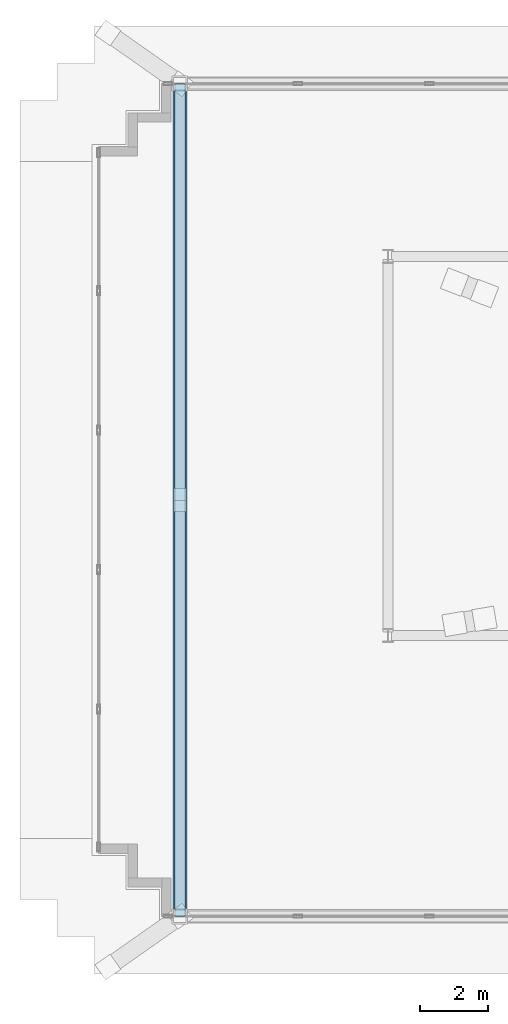
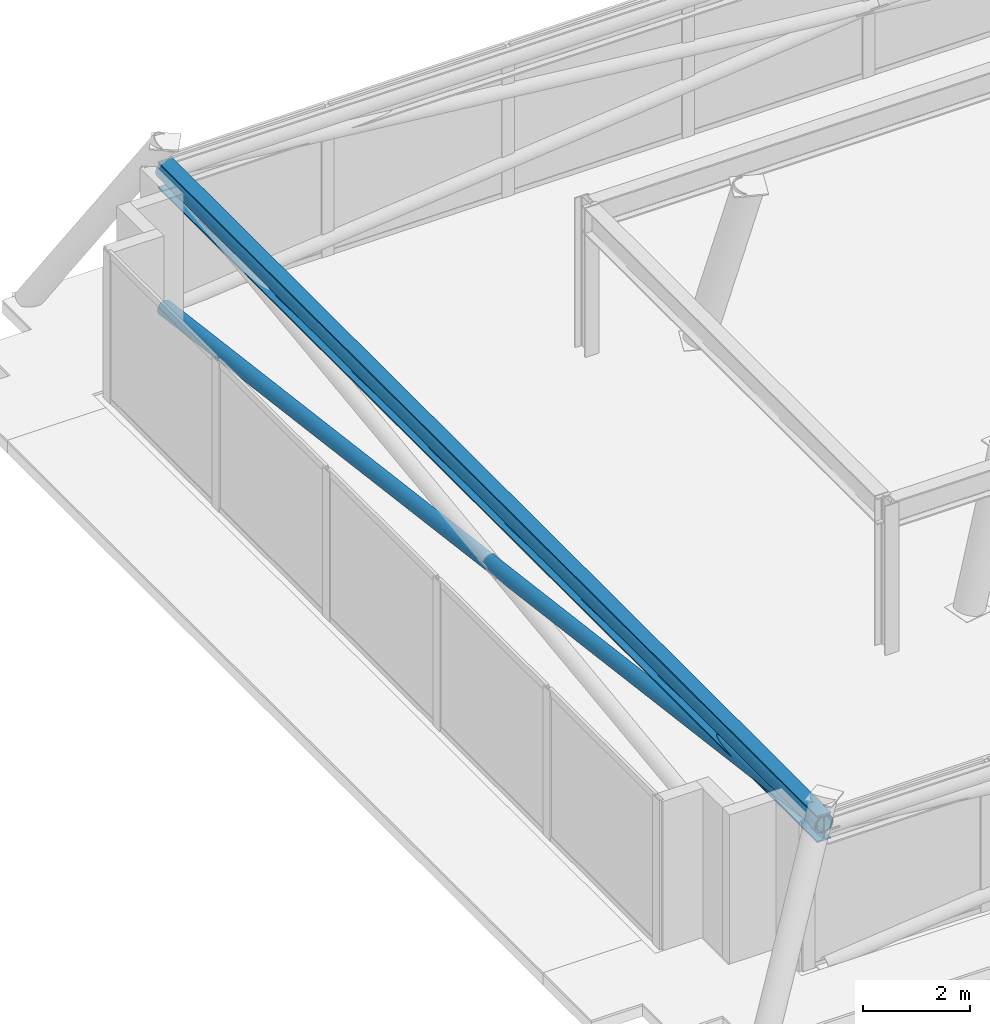
# One storey, part 3 of 18: 2 members, 1 beam.
"""IFC4 building model written with IfcOpenShell, lengths in metres."""

from ifc_helpers import new_model, si_unit, direction, frame, origin, origin_2d, place, context, subcontext, project, spatial, hollow_circle, i_section, extrude, material, material_profile, profile_set, type_object, element, save


model = new_model("IFC4")

# Units and contexts
model_context = context("Model", 3, precision=1e-05, world=origin(), true_north=direction((0.0, 1.0)))
body_context = subcontext(model_context, "Body", "Model", "MODEL_VIEW")
ifc_project = project(units=[si_unit("LENGTHUNIT", "METRE"), si_unit("AREAUNIT", "SQUARE_METRE"), si_unit("VOLUMEUNIT", "CUBIC_METRE"), si_unit("PLANEANGLEUNIT", "RADIAN"), si_unit("MASSUNIT", "GRAM", prefix="KILO")], contexts=[model_context])

# Site, building, storey
site_placement = place(None, origin())
site = spatial("IfcSite", under=ifc_project, at=site_placement, CompositionType="ELEMENT")
building_placement = place(site_placement, origin())
building = spatial("IfcBuilding", under=site, at=building_placement, Name="Qobustan Lattice House", CompositionType="ELEMENT")
storey_placement = place(building_placement, frame((0.0, 0.0, 277.800048828125)))
storey = spatial("IfcBuildingStorey", under=building, at=storey_placement, Name="L78", CompositionType="ELEMENT", Elevation=277.800048828125)

# Beam
ifc_material_1 = material(Name="Steel S355", Category="steel")
ifc_material_profile_1 = material_profile(ifc_material_1, i_section(OverallWidth=0.300048828125, OverallDepth=0.60009765625, WebThickness=0.015380859375, FlangeThickness=0.030029296875, FilletRadius=0.027099609375, at=origin_2d()), Name="HEB600")
ifc_profile_set_1 = profile_set([ifc_material_profile_1], Name="Steel S355")
beam_type = type_object("IfcBeamType", Name="BM-POD-HEB600", PredefinedType="USERDEFINED", material=ifc_profile_set_1)
beam_placement = place(storey_placement, frame((-15.346435546875, 10.70361328125, 3.099853515625), z_axis=(0.0, -1.0, 0.0), x_axis=(1.0, 0.0, 0.0)))
element("IfcBeam", 1, at=beam_placement, inside=storey, type_object=beam_type, Name="L78 crown perimeter ring beam 4", ObjectType="GIRDER", PredefinedType="USERDEFINED", context=body_context, shape_type="SweptSolid", body=[
    extrude(i_section(OverallWidth=0.300048828125, OverallDepth=0.60009765625, WebThickness=0.015380859375, FlangeThickness=0.030029296875, FilletRadius=0.027099609375, at=origin_2d()), origin(), (0.0, 0.0, 1.0), 24.607177734375),
])

# Members
ifc_material_2 = material(Name="Steel S355", Category="steel")
ifc_material_profile_2 = material_profile(ifc_material_2, hollow_circle(Radius=0.161865234375, WallThickness=0.012451171875, at=origin_2d()), Name="CHS323.9x12.5")
ifc_profile_set_2 = profile_set([ifc_material_profile_2], Name="Steel S355")
member_type_1 = type_object("IfcMemberType", Name="MEM-CBR-CHS324", PredefinedType="BRACE", material=ifc_profile_set_2)
member_1_placement = place(storey_placement, frame((-15.346435546875, 10.70361328125, 0.014892578125), z_axis=(0.0, -0.991829355332, 0.127571665749), x_axis=(1.0, 0.0, 0.0)))
element("IfcMember", 2, at=member_1_placement, inside=storey, type_object=member_type_1, Name="L78 crown diagrid continuous brace 4A", PredefinedType="BRACE", context=body_context, shape_type="SweptSolid", body=[
    extrude(hollow_circle(Radius=0.161865234375, WallThickness=0.012451171875, at=origin_2d()), origin(), (0.0, 0.0, 1.0), 24.809814453125),
])
ifc_material_3 = material(Name="Steel S355", Category="steel")
ifc_material_profile_3 = material_profile(ifc_material_3, hollow_circle(Radius=0.203125, WallThickness=0.01611328125, at=origin_2d()), Name="CHS406.4x16")
ifc_profile_set_3 = profile_set([ifc_material_profile_3], Name="Steel S355")
member_type_2 = type_object("IfcMemberType", Name="MEM-RNG-CHS406", PredefinedType="CHORD", material=ifc_profile_set_3)
member_2_placement = place(storey_placement, frame((-15.346435546875, 10.70361328125, 3.179931640625), z_axis=(0.0, -1.0, 0.0), x_axis=(1.0, 0.0, 0.0)))
element("IfcMember", 3, at=member_2_placement, inside=storey, type_object=member_type_2, Name="L78 crown ring chord 4", PredefinedType="CHORD", context=body_context, shape_type="SweptSolid", body=[
    extrude(hollow_circle(Radius=0.203125, WallThickness=0.01611328125, at=origin_2d()), origin(), (0.0, 0.0, 1.0), 24.607177734375),
])

save(model, "model.ifc")
